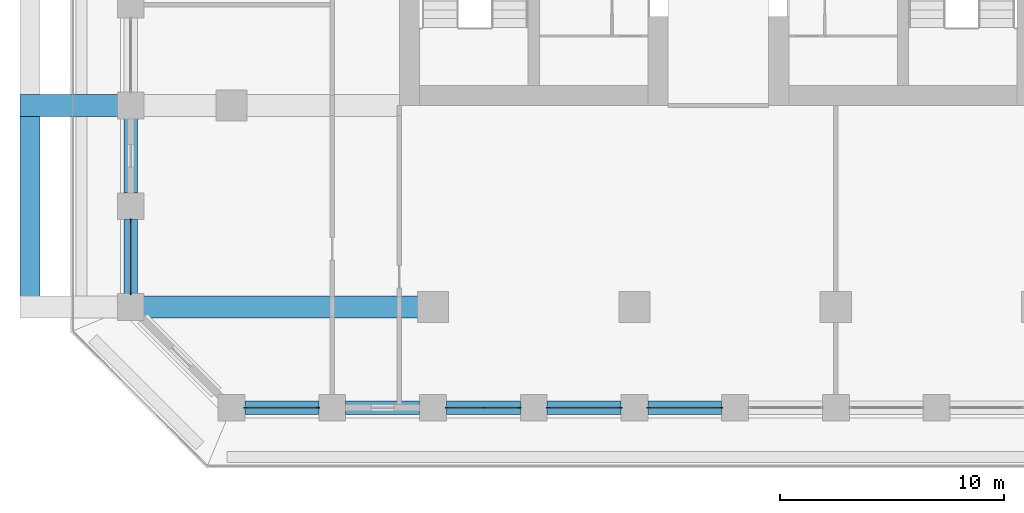
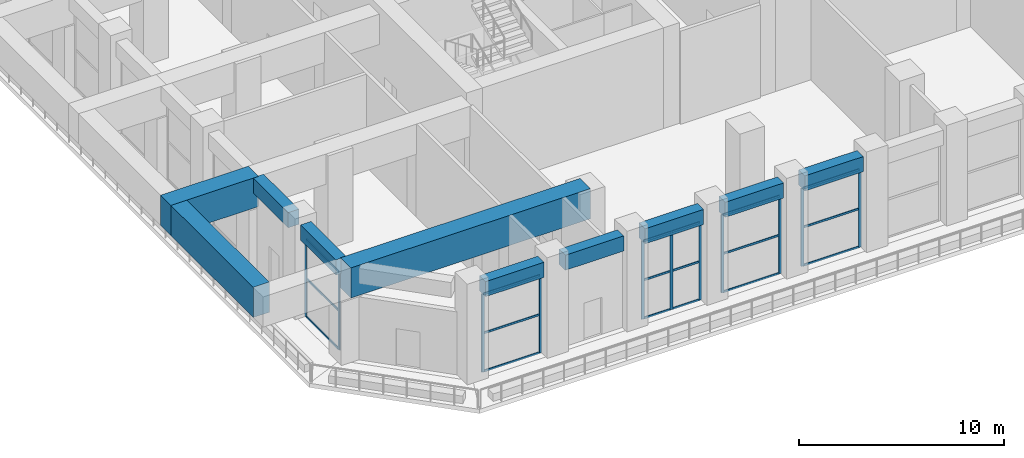
# One storey, part 2 of 24: 29 members, 10 beams, 5 elements without a shape of their own.
"""IFC4 building model written with IfcOpenShell, lengths in metres."""

from ifc_helpers import new_model, si_unit, direction, frame, origin, origin_2d, place, context, subcontext, project, spatial, rectangle, extrude, material, material_profile, profile_set, type_object, element, aggregate, save


model = new_model("IFC4")

# Units and contexts
model_context = context("Model", 3, precision=1e-05, world=origin(), true_north=direction((0.0, 1.0)))
body_context = subcontext(model_context, "Body", "Model", "MODEL_VIEW")
ifc_project = project(units=[si_unit("LENGTHUNIT", "METRE"), si_unit("AREAUNIT", "SQUARE_METRE"), si_unit("VOLUMEUNIT", "CUBIC_METRE"), si_unit("PLANEANGLEUNIT", "RADIAN"), si_unit("MASSUNIT", "GRAM", prefix="KILO")], contexts=[model_context])

# Site, building, storey
site_placement = place(None, origin())
site = spatial("IfcSite", under=ifc_project, at=site_placement, CompositionType="ELEMENT")
building_placement = place(site_placement, origin())
building = spatial("IfcBuilding", under=site, at=building_placement, Name="Corbel Stack Research Tower", CompositionType="ELEMENT")
storey_placement = place(building_placement, frame((0.0, 0.0, 110.699951171875)))
storey = spatial("IfcBuildingStorey", under=building, at=storey_placement, Name="L25", CompositionType="ELEMENT", Elevation=110.699951171875)

# Curtain wall, members
ifc_material_1 = material(Name="Aluminium frame, clear glass", Category="aluminium")
curtain_wall_type = type_object("IfcCurtainWallType", Name="Amenity floor curtain wall CW2", PredefinedType="NOTDEFINED", material=ifc_material_1)
curtain_wall_1_placement = place(storey_placement, origin())
curtain_wall_1 = element("IfcCurtainWall", 1, at=curtain_wall_1_placement, inside=storey, type_object=curtain_wall_type, Name="Curtain wall CW2 L25 S01", PredefinedType="NOTDEFINED")
ifc_material_2 = material(Name="Aluminium mullion", Category="aluminium")
ifc_material_profile_1 = material_profile(ifc_material_2, rectangle(XDim=0.06005859375, YDim=0.159912109375, at=origin_2d()), Name="Mullion 60 x 160")
ifc_profile_set_1 = profile_set([ifc_material_profile_1], Name="Aluminium mullion")
member_type_1 = type_object("IfcMemberType", Name="Curtain wall mullion 60 x 160", PredefinedType="MULLION", material=ifc_profile_set_1)
member_1_placement = place(storey_placement, frame((-17.3701171875, -22.5, 0.0), z_axis=(0.0, 0.0, 1.0), x_axis=(0.0, 1.0, 0.0)))
member_1 = element("IfcMember", 2, at=member_1_placement, type_object=member_type_1, Name="CW2 L25 S01 mullion 1", PredefinedType="MULLION", context=body_context, shape_type="SweptSolid", body=[
    extrude(rectangle(XDim=0.06005859375, YDim=0.159912109375, at=origin_2d()), origin(), (0.0, 0.0, 1.0), 4.650146484375),
])
member_2_placement = place(storey_placement, frame((-14.1298828125, -22.5, 0.0), z_axis=(0.0, 0.0, 1.0), x_axis=(0.0, 1.0, 0.0)))
member_2 = element("IfcMember", 3, at=member_2_placement, type_object=member_type_1, Name="CW2 L25 S01 mullion 2", PredefinedType="MULLION", context=body_context, shape_type="SweptSolid", body=[
    extrude(rectangle(XDim=0.06005859375, YDim=0.159912109375, at=origin_2d()), origin(), (0.0, 0.0, 1.0), 4.650146484375),
])

curtain_wall_2_placement = place(storey_placement, origin())
curtain_wall_2 = element("IfcCurtainWall", 4, at=curtain_wall_2_placement, inside=storey, type_object=curtain_wall_type, Name="Curtain wall CW2 L25 S03", PredefinedType="NOTDEFINED")
member_3_placement = place(storey_placement, frame((-8.3701171875, -22.5, 0.0), z_axis=(0.0, 0.0, 1.0), x_axis=(0.0, 1.0, 0.0)))
member_3 = element("IfcMember", 5, at=member_3_placement, type_object=member_type_1, Name="CW2 L25 S03 mullion 1", PredefinedType="MULLION", context=body_context, shape_type="SweptSolid", body=[
    extrude(rectangle(XDim=0.06005859375, YDim=0.159912109375, at=origin_2d()), origin(), (0.0, 0.0, 1.0), 4.650146484375),
])
member_4_placement = place(storey_placement, frame((-6.75, -22.5, 0.0), z_axis=(0.0, 0.0, 1.0), x_axis=(0.0, 1.0, 0.0)))
member_4 = element("IfcMember", 6, at=member_4_placement, type_object=member_type_1, Name="CW2 L25 S03 mullion 2", PredefinedType="MULLION", context=body_context, shape_type="SweptSolid", body=[
    extrude(rectangle(XDim=0.06005859375, YDim=0.159912109375, at=origin_2d()), origin(), (0.0, 0.0, 1.0), 4.650146484375),
])
member_5_placement = place(storey_placement, frame((-5.1298828125, -22.5, 0.0), z_axis=(0.0, 0.0, 1.0), x_axis=(0.0, 1.0, 0.0)))
member_5 = element("IfcMember", 7, at=member_5_placement, type_object=member_type_1, Name="CW2 L25 S03 mullion 3", PredefinedType="MULLION", context=body_context, shape_type="SweptSolid", body=[
    extrude(rectangle(XDim=0.06005859375, YDim=0.159912109375, at=origin_2d()), origin(), (0.0, 0.0, 1.0), 4.650146484375),
])

curtain_wall_3_placement = place(storey_placement, origin())
curtain_wall_3 = element("IfcCurtainWall", 8, at=curtain_wall_3_placement, inside=storey, type_object=curtain_wall_type, Name="Curtain wall CW2 L25 S04", PredefinedType="NOTDEFINED")
member_6_placement = place(storey_placement, frame((-3.8701171875, -22.5, 0.0), z_axis=(0.0, 0.0, 1.0), x_axis=(0.0, 1.0, 0.0)))
member_6 = element("IfcMember", 9, at=member_6_placement, type_object=member_type_1, Name="CW2 L25 S04 mullion 1", PredefinedType="MULLION", context=body_context, shape_type="SweptSolid", body=[
    extrude(rectangle(XDim=0.06005859375, YDim=0.159912109375, at=origin_2d()), origin(), (0.0, 0.0, 1.0), 4.650146484375),
])
member_7_placement = place(storey_placement, frame((-0.6298828125, -22.5, 0.0), z_axis=(0.0, 0.0, 1.0), x_axis=(0.0, 1.0, 0.0)))
member_7 = element("IfcMember", 10, at=member_7_placement, type_object=member_type_1, Name="CW2 L25 S04 mullion 2", PredefinedType="MULLION", context=body_context, shape_type="SweptSolid", body=[
    extrude(rectangle(XDim=0.06005859375, YDim=0.159912109375, at=origin_2d()), origin(), (0.0, 0.0, 1.0), 4.650146484375),
])

curtain_wall_4_placement = place(storey_placement, origin())
curtain_wall_4 = element("IfcCurtainWall", 11, at=curtain_wall_4_placement, inside=storey, type_object=curtain_wall_type, Name="Curtain wall CW2 L25 S05", PredefinedType="NOTDEFINED")
member_8_placement = place(storey_placement, frame((0.6298828125, -22.5, 0.0), z_axis=(0.0, 0.0, 1.0), x_axis=(0.0, 1.0, 0.0)))
member_8 = element("IfcMember", 12, at=member_8_placement, type_object=member_type_1, Name="CW2 L25 S05 mullion 1", PredefinedType="MULLION", context=body_context, shape_type="SweptSolid", body=[
    extrude(rectangle(XDim=0.06005859375, YDim=0.159912109375, at=origin_2d()), origin(), (0.0, 0.0, 1.0), 4.650146484375),
])
member_9_placement = place(storey_placement, frame((3.8701171875, -22.5, 0.0), z_axis=(0.0, 0.0, 1.0), x_axis=(0.0, 1.0, 0.0)))
member_9 = element("IfcMember", 13, at=member_9_placement, type_object=member_type_1, Name="CW2 L25 S05 mullion 2", PredefinedType="MULLION", context=body_context, shape_type="SweptSolid", body=[
    extrude(rectangle(XDim=0.06005859375, YDim=0.159912109375, at=origin_2d()), origin(), (0.0, 0.0, 1.0), 4.650146484375),
])

curtain_wall_5_placement = place(storey_placement, origin())
curtain_wall_5 = element("IfcCurtainWall", 14, at=curtain_wall_5_placement, inside=storey, type_object=curtain_wall_type, Name="Curtain wall CW2 L25 W10", PredefinedType="NOTDEFINED")
member_10_placement = place(storey_placement, frame((-22.5, -14.1298828125, 0.0), z_axis=(0.0, 0.0, 1.0), x_axis=(1.0, 0.0, 0.0)))
member_10 = element("IfcMember", 15, at=member_10_placement, type_object=member_type_1, Name="CW2 L25 W10 mullion 1", PredefinedType="MULLION", context=body_context, shape_type="SweptSolid", body=[
    extrude(rectangle(XDim=0.06005859375, YDim=0.159912109375, at=origin_2d()), origin(), (0.0, 0.0, 1.0), 4.650146484375),
])
member_11_placement = place(storey_placement, frame((-22.5, -17.3701171875, 0.0), z_axis=(0.0, 0.0, 1.0), x_axis=(1.0, 0.0, 0.0)))
member_11 = element("IfcMember", 16, at=member_11_placement, type_object=member_type_1, Name="CW2 L25 W10 mullion 2", PredefinedType="MULLION", context=body_context, shape_type="SweptSolid", body=[
    extrude(rectangle(XDim=0.06005859375, YDim=0.159912109375, at=origin_2d()), origin(), (0.0, 0.0, 1.0), 4.650146484375),
])

# Member
ifc_material_3 = material(Name="Aluminium transom", Category="aluminium")
ifc_material_profile_2 = material_profile(ifc_material_3, rectangle(XDim=0.06005859375, YDim=0.1201171875, at=origin_2d()), Name="Transom 60 x 120")
ifc_profile_set_2 = profile_set([ifc_material_profile_2], Name="Aluminium transom")
member_type_2 = type_object("IfcMemberType", Name="Curtain wall transom 60 x 120", PredefinedType="USERDEFINED", material=ifc_profile_set_2)
member_12_placement = place(storey_placement, frame((-17.340087890625, -22.5, 0.030029296875), z_axis=(1.0, 0.0, 0.0), x_axis=(0.0, 1.0, 0.0)))
member_12 = element("IfcMember", 17, at=member_12_placement, type_object=member_type_2, Name="CW2 L25 S01 transom 1.1", ObjectType="TRANSOM", PredefinedType="USERDEFINED", context=body_context, shape_type="SweptSolid", body=[
    extrude(rectangle(XDim=0.06005859375, YDim=0.1201171875, at=origin_2d()), origin(), (0.0, 0.0, 1.0), 3.18017578125),
])

member_13_placement = place(storey_placement, frame((-17.340087890625, -22.5, 2.300048828125), z_axis=(1.0, 0.0, 0.0), x_axis=(0.0, 1.0, 0.0)))
member_13 = element("IfcMember", 18, at=member_13_placement, type_object=member_type_2, Name="CW2 L25 S01 transom 1.2", ObjectType="TRANSOM", PredefinedType="USERDEFINED", context=body_context, shape_type="SweptSolid", body=[
    extrude(rectangle(XDim=0.06005859375, YDim=0.1201171875, at=origin_2d()), origin(), (0.0, 0.0, 1.0), 3.18017578125),
])

member_14_placement = place(storey_placement, frame((-17.340087890625, -22.5, 4.6201171875), z_axis=(1.0, 0.0, 0.0), x_axis=(0.0, 1.0, 0.0)))
member_14 = element("IfcMember", 19, at=member_14_placement, type_object=member_type_2, Name="CW2 L25 S01 transom 1.3", ObjectType="TRANSOM", PredefinedType="USERDEFINED", context=body_context, shape_type="SweptSolid", body=[
    extrude(rectangle(XDim=0.06005859375, YDim=0.1201171875, at=origin_2d()), origin(), (0.0, 0.0, 1.0), 3.18017578125),
])

aggregate(curtain_wall_1, [member_1, member_2, member_12, member_13, member_14])

member_15_placement = place(storey_placement, frame((-8.340087890625, -22.5, 0.030029296875), z_axis=(1.0, 0.0, 0.0), x_axis=(0.0, 1.0, 0.0)))
member_15 = element("IfcMember", 20, at=member_15_placement, type_object=member_type_2, Name="CW2 L25 S03 transom 1.1", ObjectType="TRANSOM", PredefinedType="USERDEFINED", context=body_context, shape_type="SweptSolid", body=[
    extrude(rectangle(XDim=0.06005859375, YDim=0.1201171875, at=origin_2d()), origin(), (0.0, 0.0, 1.0), 1.56005859375),
])

member_16_placement = place(storey_placement, frame((-8.340087890625, -22.5, 2.300048828125), z_axis=(1.0, 0.0, 0.0), x_axis=(0.0, 1.0, 0.0)))
member_16 = element("IfcMember", 21, at=member_16_placement, type_object=member_type_2, Name="CW2 L25 S03 transom 1.2", ObjectType="TRANSOM", PredefinedType="USERDEFINED", context=body_context, shape_type="SweptSolid", body=[
    extrude(rectangle(XDim=0.06005859375, YDim=0.1201171875, at=origin_2d()), origin(), (0.0, 0.0, 1.0), 1.56005859375),
])

member_17_placement = place(storey_placement, frame((-8.340087890625, -22.5, 4.6201171875), z_axis=(1.0, 0.0, 0.0), x_axis=(0.0, 1.0, 0.0)))
member_17 = element("IfcMember", 22, at=member_17_placement, type_object=member_type_2, Name="CW2 L25 S03 transom 1.3", ObjectType="TRANSOM", PredefinedType="USERDEFINED", context=body_context, shape_type="SweptSolid", body=[
    extrude(rectangle(XDim=0.06005859375, YDim=0.1201171875, at=origin_2d()), origin(), (0.0, 0.0, 1.0), 1.56005859375),
])

member_18_placement = place(storey_placement, frame((-6.719970703125, -22.5, 0.030029296875), z_axis=(1.0, 0.0, 0.0), x_axis=(0.0, 1.0, 0.0)))
member_18 = element("IfcMember", 23, at=member_18_placement, type_object=member_type_2, Name="CW2 L25 S03 transom 2.1", ObjectType="TRANSOM", PredefinedType="USERDEFINED", context=body_context, shape_type="SweptSolid", body=[
    extrude(rectangle(XDim=0.06005859375, YDim=0.1201171875, at=origin_2d()), origin(), (0.0, 0.0, 1.0), 1.56005859375),
])

member_19_placement = place(storey_placement, frame((-6.719970703125, -22.5, 2.300048828125), z_axis=(1.0, 0.0, 0.0), x_axis=(0.0, 1.0, 0.0)))
member_19 = element("IfcMember", 24, at=member_19_placement, type_object=member_type_2, Name="CW2 L25 S03 transom 2.2", ObjectType="TRANSOM", PredefinedType="USERDEFINED", context=body_context, shape_type="SweptSolid", body=[
    extrude(rectangle(XDim=0.06005859375, YDim=0.1201171875, at=origin_2d()), origin(), (0.0, 0.0, 1.0), 1.56005859375),
])

member_20_placement = place(storey_placement, frame((-6.719970703125, -22.5, 4.6201171875), z_axis=(1.0, 0.0, 0.0), x_axis=(0.0, 1.0, 0.0)))
member_20 = element("IfcMember", 25, at=member_20_placement, type_object=member_type_2, Name="CW2 L25 S03 transom 2.3", ObjectType="TRANSOM", PredefinedType="USERDEFINED", context=body_context, shape_type="SweptSolid", body=[
    extrude(rectangle(XDim=0.06005859375, YDim=0.1201171875, at=origin_2d()), origin(), (0.0, 0.0, 1.0), 1.56005859375),
])

aggregate(curtain_wall_2, [member_3, member_4, member_5, member_15, member_16, member_17, member_18, member_19, member_20])

member_21_placement = place(storey_placement, frame((-3.840087890625, -22.5, 0.030029296875), z_axis=(1.0, 0.0, 0.0), x_axis=(0.0, 1.0, 0.0)))
member_21 = element("IfcMember", 26, at=member_21_placement, type_object=member_type_2, Name="CW2 L25 S04 transom 1.1", ObjectType="TRANSOM", PredefinedType="USERDEFINED", context=body_context, shape_type="SweptSolid", body=[
    extrude(rectangle(XDim=0.06005859375, YDim=0.1201171875, at=origin_2d()), origin(), (0.0, 0.0, 1.0), 3.18017578125),
])

member_22_placement = place(storey_placement, frame((-3.840087890625, -22.5, 2.300048828125), z_axis=(1.0, 0.0, 0.0), x_axis=(0.0, 1.0, 0.0)))
member_22 = element("IfcMember", 27, at=member_22_placement, type_object=member_type_2, Name="CW2 L25 S04 transom 1.2", ObjectType="TRANSOM", PredefinedType="USERDEFINED", context=body_context, shape_type="SweptSolid", body=[
    extrude(rectangle(XDim=0.06005859375, YDim=0.1201171875, at=origin_2d()), origin(), (0.0, 0.0, 1.0), 3.18017578125),
])

member_23_placement = place(storey_placement, frame((-3.840087890625, -22.5, 4.6201171875), z_axis=(1.0, 0.0, 0.0), x_axis=(0.0, 1.0, 0.0)))
member_23 = element("IfcMember", 28, at=member_23_placement, type_object=member_type_2, Name="CW2 L25 S04 transom 1.3", ObjectType="TRANSOM", PredefinedType="USERDEFINED", context=body_context, shape_type="SweptSolid", body=[
    extrude(rectangle(XDim=0.06005859375, YDim=0.1201171875, at=origin_2d()), origin(), (0.0, 0.0, 1.0), 3.18017578125),
])

aggregate(curtain_wall_3, [member_6, member_7, member_21, member_22, member_23])

member_24_placement = place(storey_placement, frame((0.659912109375, -22.5, 0.030029296875), z_axis=(1.0, 0.0, 0.0), x_axis=(0.0, 1.0, 0.0)))
member_24 = element("IfcMember", 29, at=member_24_placement, type_object=member_type_2, Name="CW2 L25 S05 transom 1.1", ObjectType="TRANSOM", PredefinedType="USERDEFINED", context=body_context, shape_type="SweptSolid", body=[
    extrude(rectangle(XDim=0.06005859375, YDim=0.1201171875, at=origin_2d()), origin(), (0.0, 0.0, 1.0), 3.18017578125),
])

member_25_placement = place(storey_placement, frame((0.659912109375, -22.5, 2.300048828125), z_axis=(1.0, 0.0, 0.0), x_axis=(0.0, 1.0, 0.0)))
member_25 = element("IfcMember", 30, at=member_25_placement, type_object=member_type_2, Name="CW2 L25 S05 transom 1.2", ObjectType="TRANSOM", PredefinedType="USERDEFINED", context=body_context, shape_type="SweptSolid", body=[
    extrude(rectangle(XDim=0.06005859375, YDim=0.1201171875, at=origin_2d()), origin(), (0.0, 0.0, 1.0), 3.18017578125),
])

member_26_placement = place(storey_placement, frame((0.659912109375, -22.5, 4.6201171875), z_axis=(1.0, 0.0, 0.0), x_axis=(0.0, 1.0, 0.0)))
member_26 = element("IfcMember", 31, at=member_26_placement, type_object=member_type_2, Name="CW2 L25 S05 transom 1.3", ObjectType="TRANSOM", PredefinedType="USERDEFINED", context=body_context, shape_type="SweptSolid", body=[
    extrude(rectangle(XDim=0.06005859375, YDim=0.1201171875, at=origin_2d()), origin(), (0.0, 0.0, 1.0), 3.18017578125),
])

aggregate(curtain_wall_4, [member_8, member_9, member_24, member_25, member_26])

member_27_placement = place(storey_placement, frame((-22.5, -14.159912109375, 0.030029296875), z_axis=(0.0, -1.0, 0.0), x_axis=(1.0, 0.0, 0.0)))
member_27 = element("IfcMember", 32, at=member_27_placement, type_object=member_type_2, Name="CW2 L25 W10 transom 1.1", ObjectType="TRANSOM", PredefinedType="USERDEFINED", context=body_context, shape_type="SweptSolid", body=[
    extrude(rectangle(XDim=0.06005859375, YDim=0.1201171875, at=origin_2d()), origin(), (0.0, 0.0, 1.0), 3.18017578125),
])

member_28_placement = place(storey_placement, frame((-22.5, -14.159912109375, 2.300048828125), z_axis=(0.0, -1.0, 0.0), x_axis=(1.0, 0.0, 0.0)))
member_28 = element("IfcMember", 33, at=member_28_placement, type_object=member_type_2, Name="CW2 L25 W10 transom 1.2", ObjectType="TRANSOM", PredefinedType="USERDEFINED", context=body_context, shape_type="SweptSolid", body=[
    extrude(rectangle(XDim=0.06005859375, YDim=0.1201171875, at=origin_2d()), origin(), (0.0, 0.0, 1.0), 3.18017578125),
])

member_29_placement = place(storey_placement, frame((-22.5, -14.159912109375, 4.6201171875), z_axis=(0.0, -1.0, 0.0), x_axis=(1.0, 0.0, 0.0)))
member_29 = element("IfcMember", 34, at=member_29_placement, type_object=member_type_2, Name="CW2 L25 W10 transom 1.3", ObjectType="TRANSOM", PredefinedType="USERDEFINED", context=body_context, shape_type="SweptSolid", body=[
    extrude(rectangle(XDim=0.06005859375, YDim=0.1201171875, at=origin_2d()), origin(), (0.0, 0.0, 1.0), 3.18017578125),
])

aggregate(curtain_wall_5, [member_10, member_11, member_27, member_28, member_29])

# Beams
ifc_material_4 = material(Name="Concrete C60/75", Category="concrete")
ifc_material_profile_3 = material_profile(ifc_material_4, rectangle(XDim=0.60009765625, YDim=0.89990234375, at=origin_2d()), Name="RC 600 x 900")
ifc_profile_set_3 = profile_set([ifc_material_profile_3], Name="Concrete C60/75")
beam_type_1 = type_object("IfcBeamType", Name="SB-600-900-450", PredefinedType="SPANDREL", material=ifc_profile_set_3)
for number, where, z_axis, x_axis, name in (
    (35, (-17.39990234375, -22.5, 5.10009765625), (1.0, 0.0, 0.0), (0.0, 1.0, 0.0), "Spandrel beam L25-01"),
    (36, (-12.89990234375, -22.5, 5.10009765625), (1.0, 0.0, 0.0), (0.0, 1.0, 0.0), "Spandrel beam L25-02"),
    (37, (-8.39990234375, -22.5, 5.10009765625), (1.0, 0.0, 0.0), (0.0, 1.0, 0.0), "Spandrel beam L25-03"),
    (38, (-3.89990234375, -22.5, 5.10009765625), (1.0, 0.0, 0.0), (0.0, 1.0, 0.0), "Spandrel beam L25-04"),
    (39, (0.60009765625, -22.5, 5.10009765625), (1.0, 0.0, 0.0), (0.0, 1.0, 0.0), "Spandrel beam L25-05"),
):
    element("IfcBeam", number, at=place(storey_placement, frame(where, z_axis=z_axis, x_axis=x_axis)), inside=storey, type_object=beam_type_1, Name=name, PredefinedType="SPANDREL", context=body_context, shape_type="SweptSolid", body=[
        extrude(rectangle(XDim=0.60009765625, YDim=0.89990234375, at=origin_2d()), origin(), (0.0, 0.0, 1.0), 3.2998046875),
    ])
for number, where, z_axis, x_axis, name in (
    (40, (-22.5, -9.449951171875, 5.10009765625), (0.0, -1.0, 0.0), (1.0, 0.0, 0.0), "Spandrel beam L25-42"),
    (41, (-22.5, -14.10009765625, 5.10009765625), (0.0, -1.0, 0.0), (1.0, 0.0, 0.0), "Spandrel beam L25-43"),
):
    element("IfcBeam", number, at=place(storey_placement, frame(where, z_axis=z_axis, x_axis=x_axis)), inside=storey, type_object=beam_type_1, Name=name, PredefinedType="SPANDREL", context=body_context, shape_type="SweptSolid", body=[
        extrude(rectangle(XDim=0.60009765625, YDim=0.89990234375, at=origin_2d()), origin(), (0.0, 0.0, 1.0), 3.449951171875),
    ])
ifc_material_5 = material(Name="Concrete C60/75", Category="concrete")
ifc_material_profile_4 = material_profile(ifc_material_5, rectangle(XDim=1.0, YDim=1.800048828125, at=origin_2d()), Name="RC 1000 x 1800")
ifc_profile_set_4 = profile_set([ifc_material_profile_4], Name="Concrete C60/75")
beam_type_2 = type_object("IfcBeamType", Name="TG-1000-1800", PredefinedType="BEAM", material=ifc_profile_set_4)
beam_1_placement = place(storey_placement, frame((-22.5, -18.0, 4.650146484375), z_axis=(1.0, 0.0, 0.0), x_axis=(0.0, 1.0, 0.0)))
element("IfcBeam", 42, at=beam_1_placement, inside=storey, type_object=beam_type_2, Name="Transfer girder L25 W-18b", PredefinedType="BEAM", context=body_context, shape_type="SweptSolid", body=[
    extrude(rectangle(XDim=1.0, YDim=1.800048828125, at=origin_2d()), origin(), (0.0, 0.0, 1.0), 13.5),
])
beam_2_placement = place(storey_placement, frame((-27.449951171875, -9.0, 4.650146484375), z_axis=(1.0, 0.0, 0.0), x_axis=(0.0, 1.0, 0.0)))
element("IfcBeam", 43, at=beam_2_placement, inside=storey, type_object=beam_type_2, Name="Transfer girder L25 W-9c", PredefinedType="BEAM", context=body_context, shape_type="SweptSolid", body=[
    extrude(rectangle(XDim=1.0, YDim=1.800048828125, at=origin_2d()), origin(), (0.0, 0.0, 1.0), 4.949951171875),
])
ifc_material_6 = material(Name="Concrete C60/75", Category="concrete")
ifc_material_profile_5 = material_profile(ifc_material_6, rectangle(XDim=0.89990234375, YDim=1.800048828125, at=origin_2d()), Name="RC 900 x 1800")
ifc_profile_set_5 = profile_set([ifc_material_profile_5], Name="Concrete C60/75")
beam_type_3 = type_object("IfcBeamType", Name="TG-900-1800", PredefinedType="BEAM", material=ifc_profile_set_5)
beam_3_placement = place(storey_placement, frame((-27.0, -17.550048828125, 4.650146484375), z_axis=(0.0, 1.0, 0.0), x_axis=(-1.0, 0.0, 0.0)))
element("IfcBeam", 44, at=beam_3_placement, inside=storey, type_object=beam_type_3, Name="Transfer edge beam L25 We-18", PredefinedType="BEAM", context=body_context, shape_type="SweptSolid", body=[
    extrude(rectangle(XDim=0.89990234375, YDim=1.800048828125, at=origin_2d()), origin(), (0.0, 0.0, 1.0), 8.10009765625),
])

save(model, "model.ifc")
